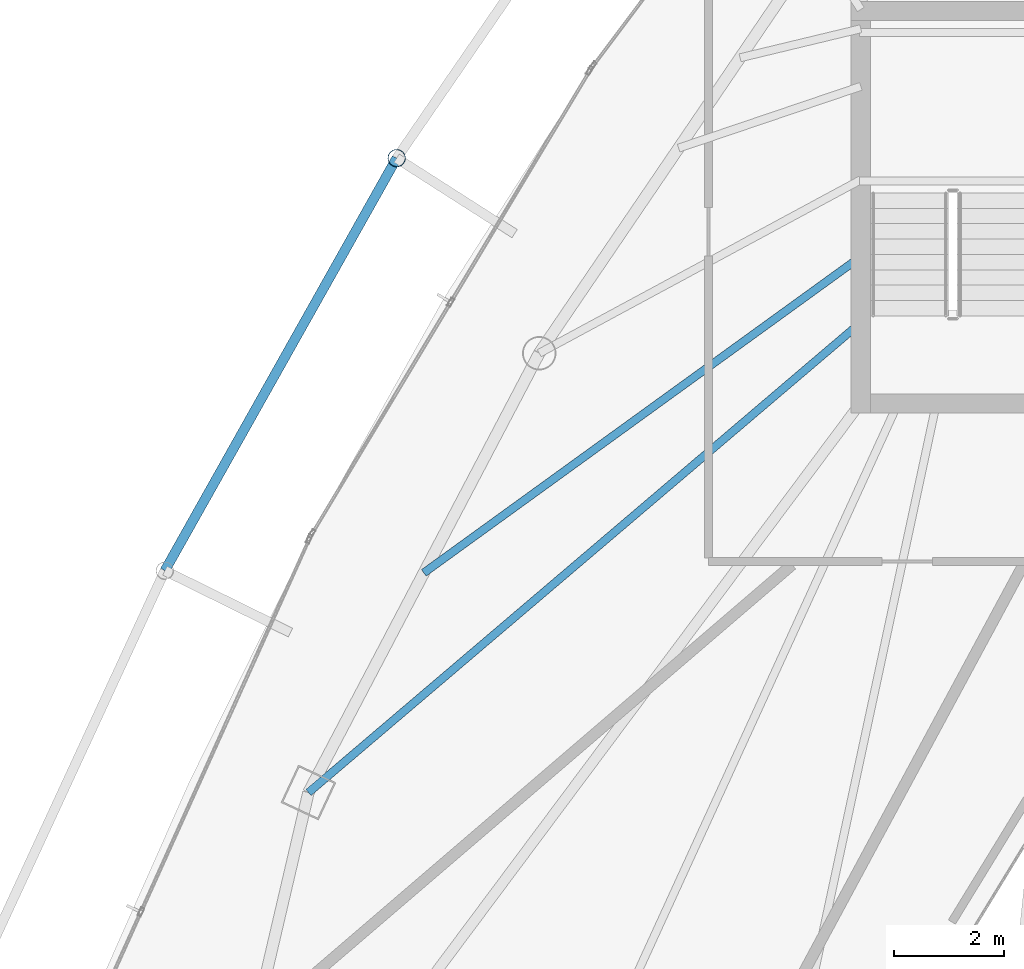
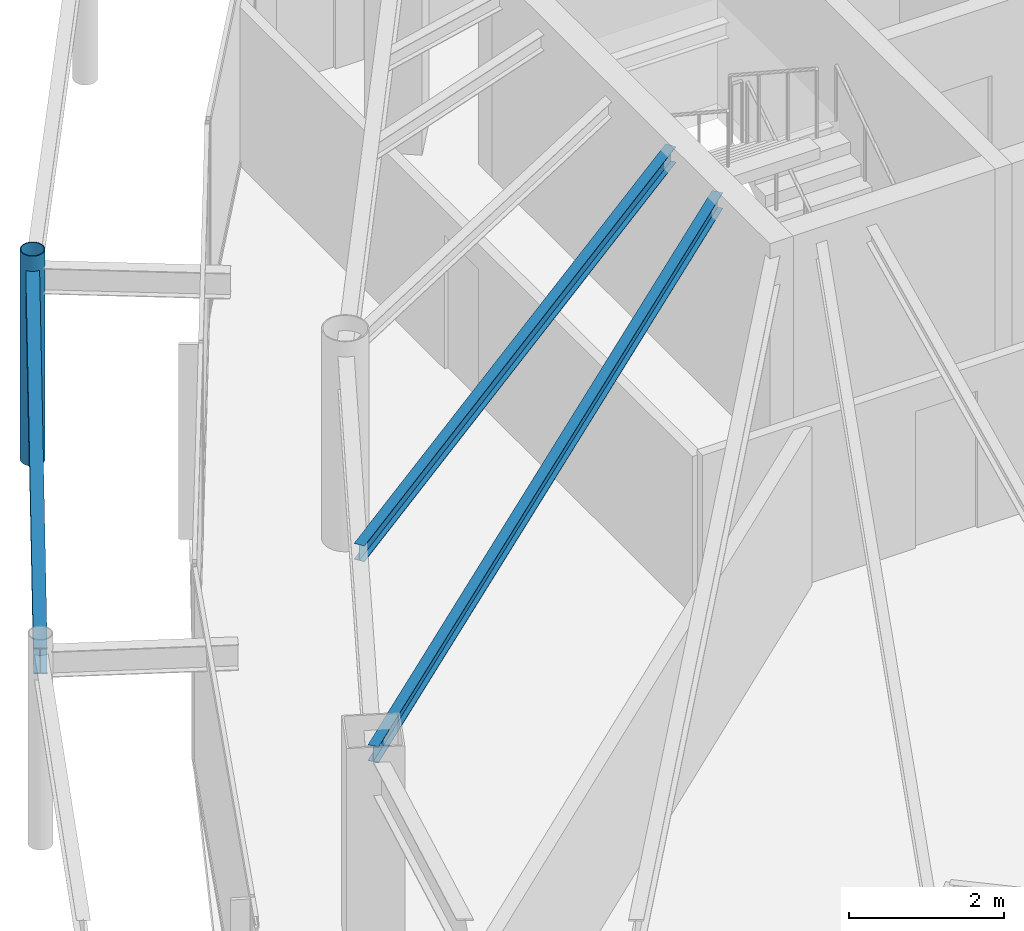
# One storey, part 11 of 30: 3 beams, 1 member.
"""IFC4 building model written with IfcOpenShell, lengths in metres."""

import ifcopenshell
import ifcopenshell.guid

model = None  # the IFC model being written
_history = None  # IfcOwnerHistory: only IFC2X3 demands one
_inside = {}  # id of a spatial element -> (the spatial element, [elements in it])
_under = {}  # id of a project, library or spatial element -> (it, [spatial elements below it])
_declared = {}  # id of a project -> (the project, [libraries it declares])
_typed = {}  # id of a type object -> (the type object, [elements of that type])
_made_of = {}  # id of a material, layer set ... -> (it, [elements and type objects made of it])


def new_model(schema):
    """Start an empty IFC model of exactly this schema.

    Asked for "IFC4X3", IfcOpenShell would pick the latest addendum, in which some entities
    have other attributes; the version numbers below select the first issue.
    IFC2X3 requires an IfcOwnerHistory on every rooted entity: one is made here for all.
    """
    global model, _history
    if schema == "IFC4X3":
        model = ifcopenshell.file(schema_version=(4, 3, 0, 0))
    else:
        model = ifcopenshell.file(schema=schema)
    _inside.clear()
    _under.clear()
    _declared.clear()
    _typed.clear()
    _made_of.clear()
    _history = None
    if model.schema == "IFC2X3":
        org = make("IfcOrganization", Name="unknown")
        user = make(
            "IfcPersonAndOrganization",
            ThePerson=make("IfcPerson", FamilyName="unknown"),
            TheOrganization=org,
        )
        app = make(
            "IfcApplication",
            ApplicationDeveloper=org,
            Version="unknown",
            ApplicationFullName="unknown",
            ApplicationIdentifier="unknown",
        )
        _history = make(
            "IfcOwnerHistory",
            OwningUser=user,
            OwningApplication=app,
            ChangeAction="ADDED",
            CreationDate=0,
        )
    return model


def make(cls, **values):
    """One entity of the class cls with the attributes given. An attribute that is None is left unset."""
    return model.create_entity(
        cls, **{name: value for name, value in values.items() if value is not None}
    )


def rooted(cls, **values):
    """An entity with a GlobalId (a new one), such as an element, a storey or a relation."""
    return make(cls, GlobalId=ifcopenshell.guid.new(), OwnerHistory=_history, **values)


def si_unit(unit_type, name, prefix=None):
    """IfcSIUnit, for example si_unit("LENGTHUNIT", "METRE", prefix="MILLI")."""
    return make("IfcSIUnit", UnitType=unit_type, Prefix=prefix, Name=name)


def assignment(units):
    """IfcUnitAssignment: the units of a project."""
    return None if units is None else make("IfcUnitAssignment", Units=units)


def point(xyz):
    """IfcCartesianPoint."""
    return None if xyz is None else make("IfcCartesianPoint", Coordinates=xyz)


def direction(xyz):
    """IfcDirection."""
    return None if xyz is None else make("IfcDirection", DirectionRatios=xyz)


def frame(location, z_axis=None, x_axis=None):
    """IfcAxis2Placement3D, a coordinate frame: its origin and axes. An axis left out is left unset."""
    return make(
        "IfcAxis2Placement3D",
        Location=point(location),
        Axis=direction(z_axis),
        RefDirection=direction(x_axis),
    )


def frame_2d(location, x_axis=None):
    """IfcAxis2Placement2D, a coordinate frame in the plane: its origin and x axis."""
    return make(
        "IfcAxis2Placement2D", Location=point(location), RefDirection=direction(x_axis)
    )


def origin():
    """The frame at (0, 0, 0) with its axes left unset."""
    return frame((0.0, 0.0, 0.0))


def origin_2d():
    """The frame at (0, 0) in the plane with its x axis left unset."""
    return frame_2d((0.0, 0.0))


def place(relative_to, where):
    """IfcLocalPlacement: puts the frame where relative to a parent placement (None: the world)."""
    return make(
        "IfcLocalPlacement", PlacementRelTo=relative_to, RelativePlacement=where
    )


def context(
    kind, dimensions, precision=None, world=None, true_north=None, identifier=None
):
    """IfcGeometricRepresentationContext, for example the 3D "Model" context."""
    return make(
        "IfcGeometricRepresentationContext",
        ContextIdentifier=identifier,
        ContextType=kind,
        CoordinateSpaceDimension=dimensions,
        Precision=precision,
        WorldCoordinateSystem=world,
        TrueNorth=true_north,
    )


def subcontext(parent, identifier, kind, view, scale=None):
    """IfcGeometricRepresentationSubContext, for example "Body" below "Model"."""
    return make(
        "IfcGeometricRepresentationSubContext",
        ContextIdentifier=identifier,
        ContextType=kind,
        ParentContext=parent,
        TargetScale=scale,
        TargetView=view,
    )


def project(units=None, contexts=None):
    """IfcProject with its units and contexts."""
    return rooted(
        "IfcProject",
        Name="project",
        RepresentationContexts=contexts,
        UnitsInContext=assignment(units),
    )


def spatial(cls, under=None, at=None, **own):
    """A site, building, storey or space (cls), placed at a placement, below another one or the project."""
    s = rooted(cls, ObjectPlacement=at, **own)
    if under is not None:
        _under.setdefault(under.id(), (under, []))[1].append(s)
    return s


def profile(cls, at=None, kind="AREA", **sizes):
    """A parametric profile (cls). Its sizes go by their IFC names, for example OverallWidth=200.0."""
    return make(cls, ProfileType=kind, Position=at, **sizes)


def hollow_circle(**sizes):
    """IfcCircleHollowProfileDef."""
    return profile("IfcCircleHollowProfileDef", **sizes)


def i_section(**sizes):
    """IfcIShapeProfileDef."""
    return profile("IfcIShapeProfileDef", **sizes)


def extrude(swept, where, along, depth):
    """IfcExtrudedAreaSolid: the profile swept, set in the frame where, extruded along a direction by depth."""
    return make(
        "IfcExtrudedAreaSolid",
        SweptArea=swept,
        Position=where,
        ExtrudedDirection=direction(along),
        Depth=depth,
    )


def shape(context_of_items, identifier, shape_type, items):
    """IfcShapeRepresentation: the items that make up one representation, for example the "Body"."""
    return make(
        "IfcShapeRepresentation",
        ContextOfItems=context_of_items,
        RepresentationIdentifier=identifier,
        RepresentationType=shape_type,
        Items=items,
    )


def material(Name=None, Category=None):
    """IfcMaterial."""
    return make("IfcMaterial", Name=Name, Category=Category)


def material_profile(
    of_material, cross_section, Name=None, Category=None, Priority=None
):
    """IfcMaterialProfile: a cross section and its material."""
    return make(
        "IfcMaterialProfile",
        Name=Name,
        Material=of_material,
        Profile=cross_section,
        Priority=Priority,
        Category=Category,
    )


def profile_set(profiles, Name=None, composite=None):
    """IfcMaterialProfileSet."""
    return make(
        "IfcMaterialProfileSet",
        Name=Name,
        MaterialProfiles=profiles,
        CompositeProfile=composite,
    )


def made_of(thing, what):
    """Note that an element or type object is made of a material, layer set ...; save() writes the relation."""
    if what is not None:
        _made_of.setdefault(what.id(), (what, []))[1].append(thing)
    return thing


def type_object(cls, material=None, **own):
    """A type object (cls), such as IfcWallType, which elements share."""
    return made_of(rooted(cls, **own), material)


def element(
    cls,
    number,
    at=None,
    inside=None,
    cuts=None,
    type_object=None,
    material=None,
    context=None,
    identifier="Body",
    shape_type=None,
    held_by="IfcProductDefinitionShape",
    body=None,
    shapes=None,
    **own,
):
    """One element of the class cls, such as IfcWall. Its Tag is "e" and its number.

    at: its placement. inside: the storey or other place that contains it. cuts: it is an
    opening in that element (IfcRelVoidsElement). A single representation is given by context,
    identifier, shape_type and body (its items); several are given by shapes. held_by: the class
    of the entity that holds the representations. save() writes the other relations.
    """
    e = rooted(cls, Tag="e%d" % number, ObjectPlacement=at, **own)
    if body is not None:
        shapes = [shape(context, identifier, shape_type, body)]
    if shapes is not None:
        e.Representation = make(held_by, Representations=shapes)
    if inside is not None:
        _inside.setdefault(inside.id(), (inside, []))[1].append(e)
    if cuts is not None:
        rooted(
            "IfcRelVoidsElement", RelatingBuildingElement=cuts, RelatedOpeningElement=e
        )
    if type_object is not None:
        _typed.setdefault(type_object.id(), (type_object, []))[1].append(e)
    return made_of(e, material)


def aggregate(whole, parts):
    """IfcRelAggregates: a whole, such as a stair, and the parts it consists of."""
    return rooted("IfcRelAggregates", RelatingObject=whole, RelatedObjects=parts)


def save(model, path):
    """Write the relations noted so far, then the file.

    IfcRelAggregates (storeys below a building ...), IfcRelContainedInSpatialStructure (elements
    in a storey), IfcRelDefinesByType, IfcRelAssociatesMaterial and IfcRelDeclares: one each for
    every whole, place, type object, material and project.
    """
    for whole, parts in _under.values():
        aggregate(whole, parts)
    for where, things in _inside.values():
        rooted(
            "IfcRelContainedInSpatialStructure",
            RelatedElements=things,
            RelatingStructure=where,
        )
    for kind, things in _typed.values():
        rooted("IfcRelDefinesByType", RelatedObjects=things, RelatingType=kind)
    for what, things in _made_of.values():
        rooted("IfcRelAssociatesMaterial", RelatedObjects=things, RelatingMaterial=what)
    for by, libraries in _declared.values():
        rooted("IfcRelDeclares", RelatingContext=by, RelatedDefinitions=libraries)
    model.write(path)


model = new_model("IFC4")

# Units and contexts
model_context = context("Model", 3, precision=1e-05, world=origin(), true_north=direction((0.0, 1.0)))
body_context = subcontext(model_context, "Body", "Model", "MODEL_VIEW")
ifc_project = project(units=[si_unit("LENGTHUNIT", "METRE"), si_unit("AREAUNIT", "SQUARE_METRE"), si_unit("VOLUMEUNIT", "CUBIC_METRE"), si_unit("PLANEANGLEUNIT", "RADIAN"), si_unit("MASSUNIT", "GRAM", prefix="KILO")], contexts=[model_context])

# Site, building, storey
site_placement = place(None, origin())
site = spatial("IfcSite", under=ifc_project, at=site_placement, CompositionType="ELEMENT")
building_placement = place(site_placement, origin())
building = spatial("IfcBuilding", under=site, at=building_placement, Name="Orvanel Arch Residences", CompositionType="ELEMENT")
storey_placement = place(building_placement, frame((0.0, 0.0, 229.39990234375)))
storey = spatial("IfcBuildingStorey", under=building, at=storey_placement, Name="L65", CompositionType="ELEMENT", Elevation=229.39990234375)

# Beams
ifc_material_1 = material(Name="Structural steel AS/NZS 3679.1 Grade 300 (300 MPa)", Category="steel")
ifc_material_profile_1 = material_profile(ifc_material_1, i_section(OverallWidth=0.14599609375, OverallDepth=0.251953125, WebThickness=0.006103515625, FlangeThickness=0.008544921875, at=origin_2d()), Name="250UB31.4")
ifc_profile_set_1 = profile_set([ifc_material_profile_1], Name="Structural steel AS/NZS 3679.1 Grade 300 (300 MPa)")
beam_type_1 = type_object("IfcBeamType", Name="BJ-250UB", PredefinedType="JOIST", material=ifc_profile_set_1)
beam_1_placement = place(storey_placement, frame((26.425048828125, 28.199951171875, 2.93408203125), z_axis=(-0.761622669031, -0.64802076357, 0.0), x_axis=(0.64802076357, -0.761622669031, 0.0)))
element("IfcBeam", 1, at=beam_1_placement, inside=storey, type_object=beam_type_1, Name="L65 W Wing Floor Joist", PredefinedType="JOIST", context=body_context, shape_type="SweptSolid", body=[
    extrude(i_section(OverallWidth=0.14599609375, OverallDepth=0.251953125, WebThickness=0.006103515625, FlangeThickness=0.008544921875, at=origin_2d()), origin(), (0.0, 0.0, 1.0), 13.2060546875),
])
beam_2_placement = place(storey_placement, frame((26.425048828125, 29.39990234375, 2.93408203125), z_axis=(-0.810144032972, -0.586230881002, 0.0), x_axis=(0.586230881002, -0.810144032972, 0.0)))
element("IfcBeam", 2, at=beam_2_placement, inside=storey, type_object=beam_type_1, Name="L65 CTW Wing Floor Joist", PredefinedType="JOIST", context=body_context, shape_type="SweptSolid", body=[
    extrude(i_section(OverallWidth=0.14599609375, OverallDepth=0.251953125, WebThickness=0.006103515625, FlangeThickness=0.008544921875, at=origin_2d()), origin(), (0.0, 0.0, 1.0), 9.82177734375),
])
ifc_material_profile_2 = material_profile(ifc_material_1, i_section(OverallWidth=0.177978515625, OverallDepth=0.406005859375, WebThickness=0.0078125, FlangeThickness=0.0126953125, at=origin_2d()), Name="410UB59.7")
ifc_profile_set_2 = profile_set([ifc_material_profile_2], Name="Structural steel AS/NZS 3679.1 Grade 300 (300 MPa)")
beam_type_2 = type_object("IfcBeamType", Name="OB-410UB-EXT", PredefinedType="SPANDREL", material=ifc_profile_set_2)
beam_3_placement = place(storey_placement, frame((17.972900390625, 31.193115234375, 2.857177734375), z_axis=(-0.489897960455, -0.871779782022, 0.0), x_axis=(0.871779782022, -0.489897960455, 0.0)))
element("IfcBeam", 3, at=beam_3_placement, inside=storey, type_object=beam_type_2, Name="L65 Outer Perimeter Floor Ring Beam 02", PredefinedType="SPANDREL", context=body_context, shape_type="SweptSolid", body=[
    extrude(i_section(OverallWidth=0.177978515625, OverallDepth=0.406005859375, WebThickness=0.0078125, FlangeThickness=0.0126953125, at=origin_2d()), origin(), (0.0, 0.0, 1.0), 8.615966796875),
])

# Member
ifc_material_2 = material(Name="Structural steel AS/NZS 1163 C350L0 (Grade 350)", Category="steel")
ifc_material_profile_3 = material_profile(ifc_material_2, hollow_circle(Radius=0.162109375, WallThickness=0.0126953125, at=origin_2d()), Name="CHS324x12.7")
ifc_profile_set_3 = profile_set([ifc_material_profile_3], Name="Structural steel AS/NZS 1163 C350L0 (Grade 350)")
member_type = type_object("IfcMemberType", Name="ST-324CHS-EXT", PredefinedType="STRUT", material=ifc_profile_set_3)
member_placement = place(storey_placement, frame((17.972900390625, 31.193115234375, 0.0), z_axis=(0.0, 0.0, 1.0), x_axis=(1.0, 0.0, 0.0)))
element("IfcMember", 4, at=member_placement, inside=storey, type_object=member_type, Name="L65 Outer Perimeter Frame Post 02", PredefinedType="STRUT", context=body_context, shape_type="SweptSolid", body=[
    extrude(hollow_circle(Radius=0.162109375, WallThickness=0.0126953125, at=origin_2d()), origin(), (0.0, 0.0, 1.0), 3.300048828125),
])

save(model, "model.ifc")
